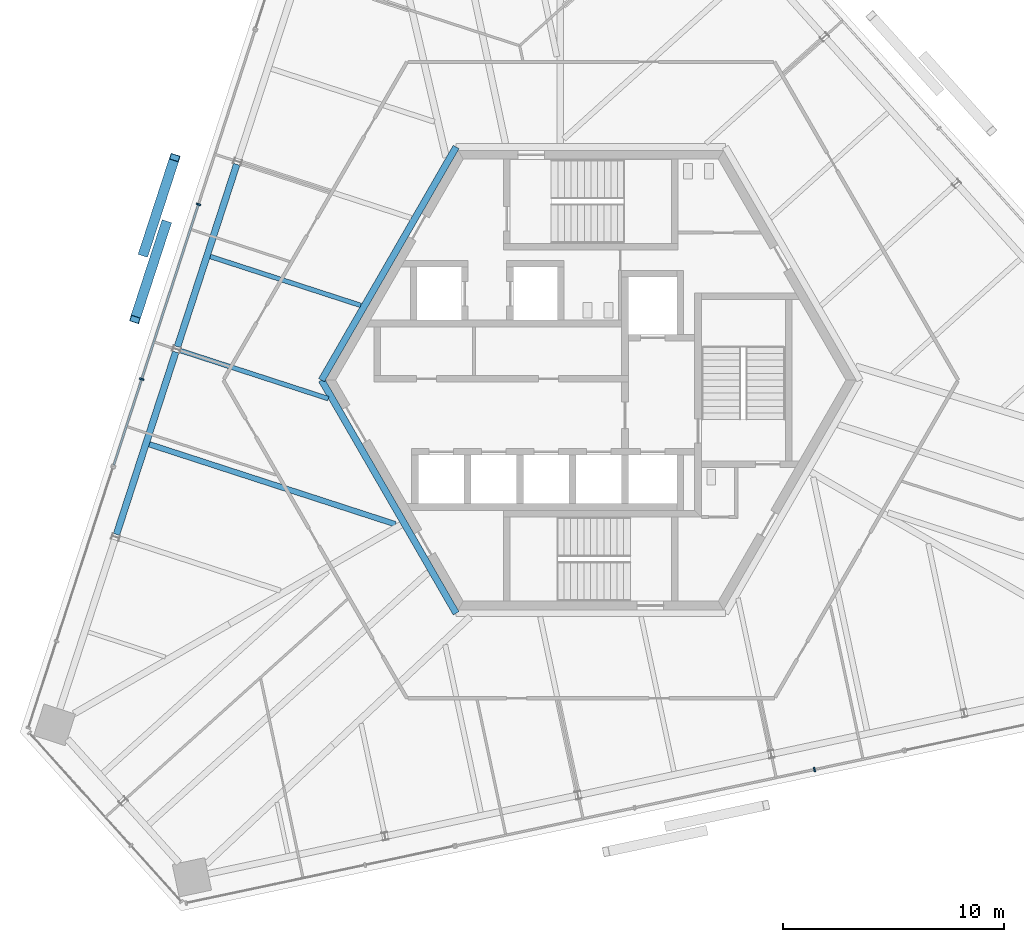
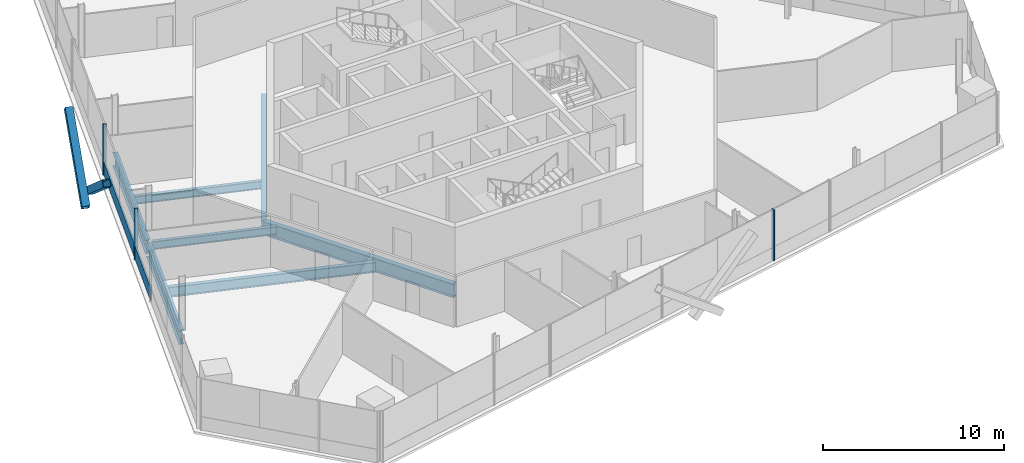
# One storey, part 5 of 15: 7 beams, 7 members, 2 elements without a shape of their own.
"""IFC4 building model written with IfcOpenShell, lengths in metres."""

from ifc_helpers import new_model, si_unit, direction, frame, origin, origin_2d, place, context, subcontext, project, spatial, rectangle, hollow_rectangle, i_section, extrude, source, transform, mapped, material, material_profile, profile_set, type_object, element, aggregate, save


model = new_model("IFC4")

# Units and contexts
model_context = context("Model", 3, precision=1e-05, world=origin(), true_north=direction((0.0, 1.0)))
body_context = subcontext(model_context, "Body", "Model", "MODEL_VIEW")
ifc_project = project(units=[si_unit("LENGTHUNIT", "METRE"), si_unit("AREAUNIT", "SQUARE_METRE"), si_unit("VOLUMEUNIT", "CUBIC_METRE"), si_unit("PLANEANGLEUNIT", "RADIAN"), si_unit("MASSUNIT", "GRAM", prefix="KILO")], contexts=[model_context])

# Site, building, storey
site_placement = place(None, origin())
site = spatial("IfcSite", under=ifc_project, at=site_placement, CompositionType="ELEMENT")
building_placement = place(site_placement, origin())
building = spatial("IfcBuilding", under=site, at=building_placement, Name="Triune Harvest Tower", CompositionType="ELEMENT")
storey_placement = place(building_placement, frame((0.0, 0.0, 277.5)))
storey = spatial("IfcBuildingStorey", under=building, at=storey_placement, Name="L73", CompositionType="ELEMENT", Elevation=277.5)

# Beams
ifc_material_1 = material(Name="Steel ASTM A992 Gr 50", Category="steel")
ifc_material_profile_1 = material_profile(ifc_material_1, i_section(OverallWidth=0.3046875, OverallDepth=0.914306640625, WebThickness=0.0166015625, FlangeThickness=0.02587890625, at=origin_2d()), Name="W36x160")
ifc_profile_set_1 = profile_set([ifc_material_profile_1], Name="Steel ASTM A992 Gr 50")
beam_type_1 = type_object("IfcBeamType", Name="CG-1 Core ring girder W36x160", PredefinedType="BEAM", material=ifc_profile_set_1)
shared_shape_1 = source(origin(), body_context, "Body", "SweptSolid", [
    extrude(i_section(OverallWidth=0.3046875, OverallDepth=0.914306640625, WebThickness=0.0166015625, FlangeThickness=0.02587890625, at=origin_2d()), origin(), (0.0, 0.0, 1.0), 12.176025390625),
])
for number, where, z_axis, x_axis, name in (
    (1, (-6.087890625, 10.544677734375, -0.6171875), (-0.5000099932, -0.866019634131, 0.0), (0.866019634131, -0.5000099932, 0.0), "beam/L73/CG3"),
    (2, (-12.176025390625, 0.0, -0.6171875), (0.5000099932, -0.866019634131, 0.0), (0.866019634131, 0.5000099932, 0.0), "beam/L73/CG4"),
):
    element("IfcBeam", number, at=place(storey_placement, frame(where, z_axis=z_axis, x_axis=x_axis)), inside=storey, type_object=beam_type_1, Name=name, PredefinedType="BEAM", context=body_context, shape_type="MappedRepresentation", body=[
        mapped(shared_shape_1, transform((0.0, 0.0, 0.0), scale=1.0)),
    ])
ifc_material_2 = material(Name="Steel ASTM A992 Gr 50", Category="steel")
ifc_material_profile_2 = material_profile(ifc_material_2, i_section(OverallWidth=0.3046875, OverallDepth=0.914306640625, WebThickness=0.0166015625, FlangeThickness=0.02587890625, at=origin_2d()), Name="W36x160")
ifc_profile_set_2 = profile_set([ifc_material_profile_2], Name="Steel ASTM A992 Gr 50")
beam_type_2 = type_object("IfcBeamType", Name="SB-1 Spandrel beam W36x160", PredefinedType="SPANDREL", material=ifc_profile_set_2)
shared_shape_2 = source(origin(), body_context, "Body", "SweptSolid", [
    extrude(i_section(OverallWidth=0.3046875, OverallDepth=0.914306640625, WebThickness=0.0166015625, FlangeThickness=0.02587890625, at=origin_2d()), origin(), (0.0, 0.0, 1.0), 8.67138671875),
])
for number, where, z_axis, x_axis, name in (
    (3, (-16.011474609375, 9.76123046875, -0.6171875), (-0.309030684676, -0.951052067938, 0.0), (0.951052067938, -0.309030684676, 0.0), "beam/L73/SB10"),
    (4, (-18.7705078125, 1.270263671875, -0.6171875), (-0.309022409974, -0.951054756643, 0.0), (0.951054756643, -0.309022409974, 0.0), "beam/L73/SB11"),
):
    element("IfcBeam", number, at=place(storey_placement, frame(where, z_axis=z_axis, x_axis=x_axis)), inside=storey, type_object=beam_type_2, Name=name, PredefinedType="SPANDREL", context=body_context, shape_type="MappedRepresentation", body=[
        mapped(shared_shape_2, transform((0.0, 0.0, 0.0), scale=1.0)),
    ])
ifc_material_3 = material(Name="Steel ASTM A992 Gr 50", Category="steel")
ifc_material_profile_3 = material_profile(ifc_material_3, i_section(OverallWidth=0.253662109375, OverallDepth=0.683349609375, WebThickness=0.012451171875, FlangeThickness=0.01904296875, at=origin_2d()), Name="W27x94")
ifc_profile_set_3 = profile_set([ifc_material_profile_3], Name="Steel ASTM A992 Gr 50")
beam_type_3 = type_object("IfcBeamType", Name="JT-4 Floor joist W27x94", PredefinedType="JOIST", material=ifc_profile_set_3)
shared_shape_3 = source(origin(), body_context, "Body", "SweptSolid", [
    extrude(i_section(OverallWidth=0.253662109375, OverallDepth=0.683349609375, WebThickness=0.012451171875, FlangeThickness=0.01904296875, at=origin_2d()), origin(), (0.0, 0.0, 1.0), 11.70068359375),
])
beam_1_placement = place(storey_placement, frame((-19.96533203125, -2.900390625, -0.501708984375), z_axis=(0.951055533623, -0.309020018713, 0.0), x_axis=(0.309020018713, 0.951055533623, 0.0)))
element("IfcBeam", 5, at=beam_1_placement, inside=storey, type_object=beam_type_3, Name="beam/L73/JT18", PredefinedType="JOIST", context=body_context, shape_type="MappedRepresentation", body=[
    mapped(shared_shape_3, transform((0.0, 0.0, 0.0), scale=1.0)),
])
ifc_material_4 = material(Name="Steel ASTM A992 Gr 50", Category="steel")
ifc_material_profile_4 = material_profile(ifc_material_4, i_section(OverallWidth=0.2099609375, OverallDepth=0.535888671875, WebThickness=0.010986328125, FlangeThickness=0.017333984375, at=origin_2d()), Name="W21x68")
ifc_profile_set_4 = profile_set([ifc_material_profile_4], Name="Steel ASTM A992 Gr 50")
beam_type_4 = type_object("IfcBeamType", Name="JT-2 Floor joist W21x68", PredefinedType="JOIST", material=ifc_profile_set_4)
shared_shape_4 = source(origin(), body_context, "Body", "SweptSolid", [
    extrude(i_section(OverallWidth=0.2099609375, OverallDepth=0.535888671875, WebThickness=0.010986328125, FlangeThickness=0.017333984375, at=origin_2d()), origin(), (0.0, 0.0, 1.0), 7.15576171875),
])
beam_2_placement = place(storey_placement, frame((-17.206298828125, 5.5908203125, -0.427978515625), z_axis=(0.95104785783, -0.30904364112, 0.0), x_axis=(0.30904364112, 0.95104785783, 0.0)))
element("IfcBeam", 6, at=beam_2_placement, inside=storey, type_object=beam_type_4, Name="beam/L73/JT16", PredefinedType="JOIST", context=body_context, shape_type="MappedRepresentation", body=[
    mapped(shared_shape_4, transform((0.0, 0.0, 0.0), scale=1.0)),
])
shared_shape_5 = source(origin(), body_context, "Body", "SweptSolid", [
    extrude(i_section(OverallWidth=0.2099609375, OverallDepth=0.535888671875, WebThickness=0.010986328125, FlangeThickness=0.017333984375, at=origin_2d()), origin(), (0.0, 0.0, 1.0), 7.03515625),
])
beam_3_placement = place(storey_placement, frame((-18.559326171875, 1.336669921875, -0.427978515625), z_axis=(0.951053958357, -0.309024866787, 0.0), x_axis=(0.309024866787, 0.951053958357, 0.0)))
element("IfcBeam", 7, at=beam_3_placement, inside=storey, type_object=beam_type_4, Name="beam/L73/JT17", PredefinedType="JOIST", context=body_context, shape_type="MappedRepresentation", body=[
    mapped(shared_shape_5, transform((0.0, 0.0, 0.0), scale=1.0)),
])

# Members
ifc_material_5 = material(Name="Steel ASTM A572 Gr 50", Category="steel")
ifc_material_profile_5 = material_profile(ifc_material_5, hollow_rectangle(XDim=0.449951171875, YDim=0.449951171875, WallThickness=0.02490234375, at=origin_2d()), Name="Box 450x450x25")
ifc_profile_set_5 = profile_set([ifc_material_profile_5], Name="Steel ASTM A572 Gr 50")
member_type_1 = type_object("IfcMemberType", Name="BR-4 Brace Box 450x450x25", PredefinedType="BRACE", material=ifc_profile_set_5)
shared_shape_6 = source(origin(), body_context, "Body", "SweptSolid", [
    extrude(hollow_rectangle(XDim=0.449951171875, YDim=0.449951171875, WallThickness=0.02490234375, at=origin_2d()), origin(), (0.0, 0.0, 1.0), 5.789306640625),
])
for number, where, z_axis, x_axis, name in (
    (8, (-19.215087890625, 7.055419921875, 0.0), (-0.242014731509, -0.744809929939, 0.621841650259), (0.951052269867, -0.30903006323, 0.0), "brace/B7-F3/d1/6"),
    (9, (-20.215576171875, 5.756591796875, 0.0), (0.242022333039, 0.744791152432, 0.621861181913), (-0.951047127071, 0.309045889942, 0.0), "brace/B7-F3/d2/6"),
):
    element("IfcMember", number, at=place(storey_placement, frame(where, z_axis=z_axis, x_axis=x_axis)), inside=storey, type_object=member_type_1, Name=name, PredefinedType="BRACE", context=body_context, shape_type="MappedRepresentation", body=[
        mapped(shared_shape_6, transform((0.0, 0.0, 0.0), scale=1.0)),
    ])

# Curtain wall, members
ifc_material_6 = material(Name="Aluminium bronze anodised", Category="aluminium")
curtain_wall_type = type_object("IfcCurtainWallType", Name="CW-7 Tower stick curtain wall with insulated spandrel infill", PredefinedType="NOTDEFINED", material=ifc_material_6)
curtain_wall_1_placement = place(storey_placement, origin())
curtain_wall_1 = element("IfcCurtainWall", 10, at=curtain_wall_1_placement, inside=storey, type_object=curtain_wall_type, Name="CW-7 B7-F3 L73 run 1001")
ifc_material_7 = material(Name="Aluminium bronze anodised", Category="aluminium")
ifc_material_profile_6 = material_profile(ifc_material_7, rectangle(XDim=0.199951171875, YDim=0.074951171875, at=origin_2d()), Name="MU-1 mullion 75 x 200")
ifc_profile_set_6 = profile_set([ifc_material_profile_6], Name="Aluminium bronze anodised")
member_type_2 = type_object("IfcMemberType", Name="MU-1 mullion 75 x 200", PredefinedType="MULLION", material=ifc_profile_set_6)
shared_shape_7 = source(origin(), body_context, "Body", "SweptSolid", [
    extrude(rectangle(XDim=0.199951171875, YDim=0.074951171875, at=origin_2d()), origin(), (0.0, 0.0, 1.0), 3.43994140625),
])
member_1_placement = place(storey_placement, frame((-17.74169921875, 7.949462890625, 0.0), z_axis=(0.0, 0.0, 1.0), x_axis=(0.951055533932, -0.309020017761, 0.0)))
member_1 = element("IfcMember", 11, at=member_1_placement, type_object=member_type_2, Name="CW-7 mullion B7-F3 1001.3", PredefinedType="MULLION", context=body_context, shape_type="MappedRepresentation", body=[
    mapped(shared_shape_7, transform((0.0, 0.0, 0.0), scale=1.0)),
])
member_2_placement = place(storey_placement, frame((-20.31005859375, 0.044677734375, 0.0), z_axis=(0.0, 0.0, 1.0), x_axis=(0.951055533932, -0.309020017761, 0.0)))
member_2 = element("IfcMember", 12, at=member_2_placement, type_object=member_type_2, Name="CW-7 mullion B7-F3 1001.5", PredefinedType="MULLION", context=body_context, shape_type="MappedRepresentation", body=[
    mapped(shared_shape_7, transform((0.0, 0.0, 0.0), scale=1.0)),
])

# Curtain wall, member
curtain_wall_2_placement = place(storey_placement, origin())
curtain_wall_2 = element("IfcCurtainWall", 13, at=curtain_wall_2_placement, inside=storey, type_object=curtain_wall_type, Name="CW-7 B7-F5 L73 run 1001")
member_3_placement = place(storey_placement, frame((10.116455078125, -17.611328125, 0.0), z_axis=(0.0, 0.0, 1.0), x_axis=(-0.207913090389, 0.978147303245, 0.0)))
member_3 = element("IfcMember", 14, at=member_3_placement, type_object=member_type_2, Name="CW-7 mullion B7-F5 1001.5", PredefinedType="MULLION", context=body_context, shape_type="MappedRepresentation", body=[
    mapped(shared_shape_7, transform((0.0, 0.0, 0.0), scale=1.0)),
])
aggregate(curtain_wall_2, [member_3])

# Member
ifc_material_8 = material(Name="Aluminium bronze anodised", Category="aluminium")
ifc_material_profile_7 = material_profile(ifc_material_8, rectangle(XDim=0.090087890625, YDim=0.89990234375, at=origin_2d()), Name="TR-1 transom 90 x 900")
ifc_profile_set_7 = profile_set([ifc_material_profile_7], Name="Aluminium bronze anodised")
member_type_3 = type_object("IfcMemberType", Name="TR-1 transom 90 x 900", PredefinedType="USERDEFINED", material=ifc_profile_set_7)
shared_shape_8 = source(origin(), body_context, "Body", "SweptSolid", [
    extrude(rectangle(XDim=0.090087890625, YDim=0.89990234375, at=origin_2d()), origin(), (0.0, 0.0, 1.0), 4.04345703125),
])
member_4_placement = place(storey_placement, frame((-20.32177734375, 0.009033203125, 0.449951171875), z_axis=(-0.309027363751, -0.951053147018, 0.0), x_axis=(0.951053147018, -0.309027363751, 0.0)))
member_4 = element("IfcMember", 15, at=member_4_placement, type_object=member_type_3, Name="CW-7 transom B7-F3 1001.3", ObjectType="TRANSOM", PredefinedType="USERDEFINED", context=body_context, shape_type="MappedRepresentation", body=[
    mapped(shared_shape_8, transform((0.0, 0.0, 0.0), scale=1.0)),
])

shared_shape_9 = source(origin(), body_context, "Body", "SweptSolid", [
    extrude(rectangle(XDim=0.090087890625, YDim=0.89990234375, at=origin_2d()), origin(), (0.0, 0.0, 1.0), 8.236572265625),
])
member_5_placement = place(storey_placement, frame((-17.75341796875, 7.913818359375, 0.449951171875), z_axis=(-0.309006984033, -0.951059768794, 0.0), x_axis=(0.951059768794, -0.309006984033, 0.0)))
member_5 = element("IfcMember", 16, at=member_5_placement, type_object=member_type_3, Name="CW-7 transom B7-F3 1001.2", ObjectType="TRANSOM", PredefinedType="USERDEFINED", context=body_context, shape_type="MappedRepresentation", body=[
    mapped(shared_shape_9, transform((0.0, 0.0, 0.0), scale=1.0)),
])

aggregate(curtain_wall_1, [member_1, member_2, member_5, member_4])

save(model, "model.ifc")
